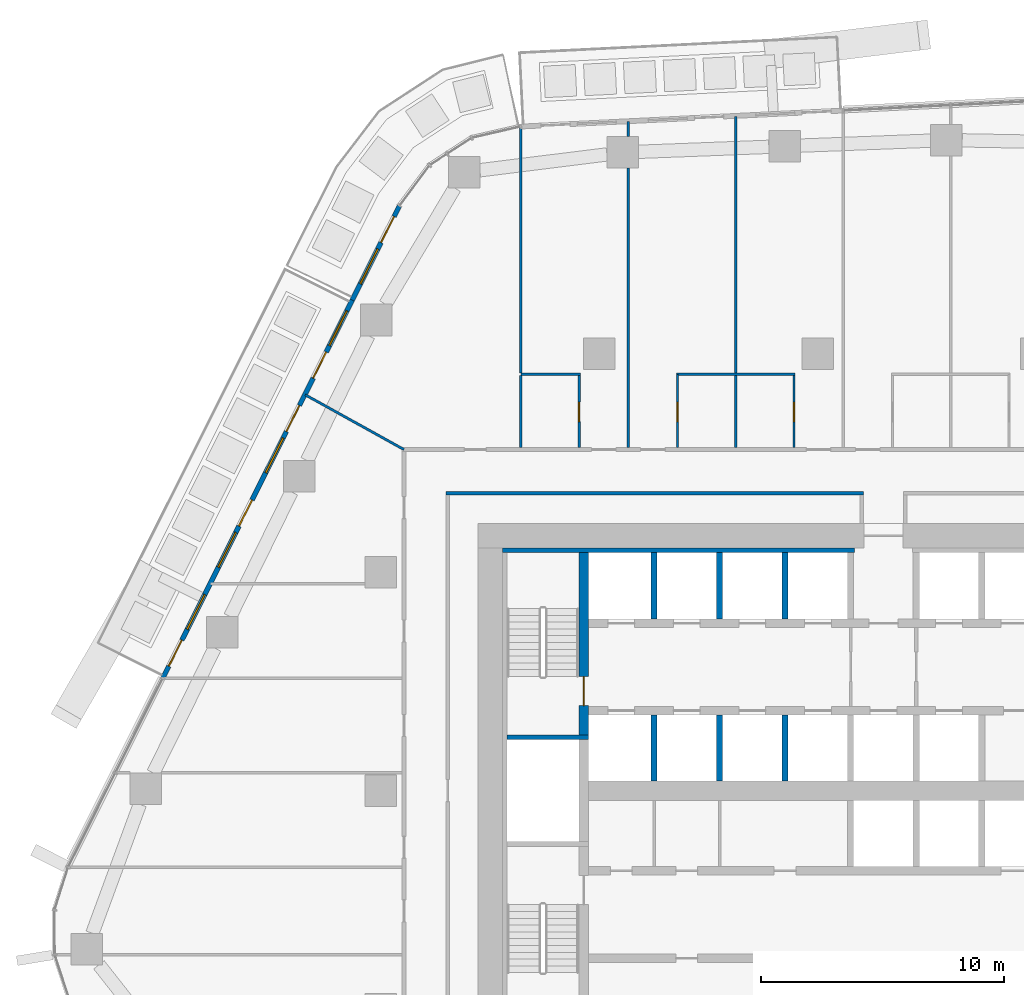
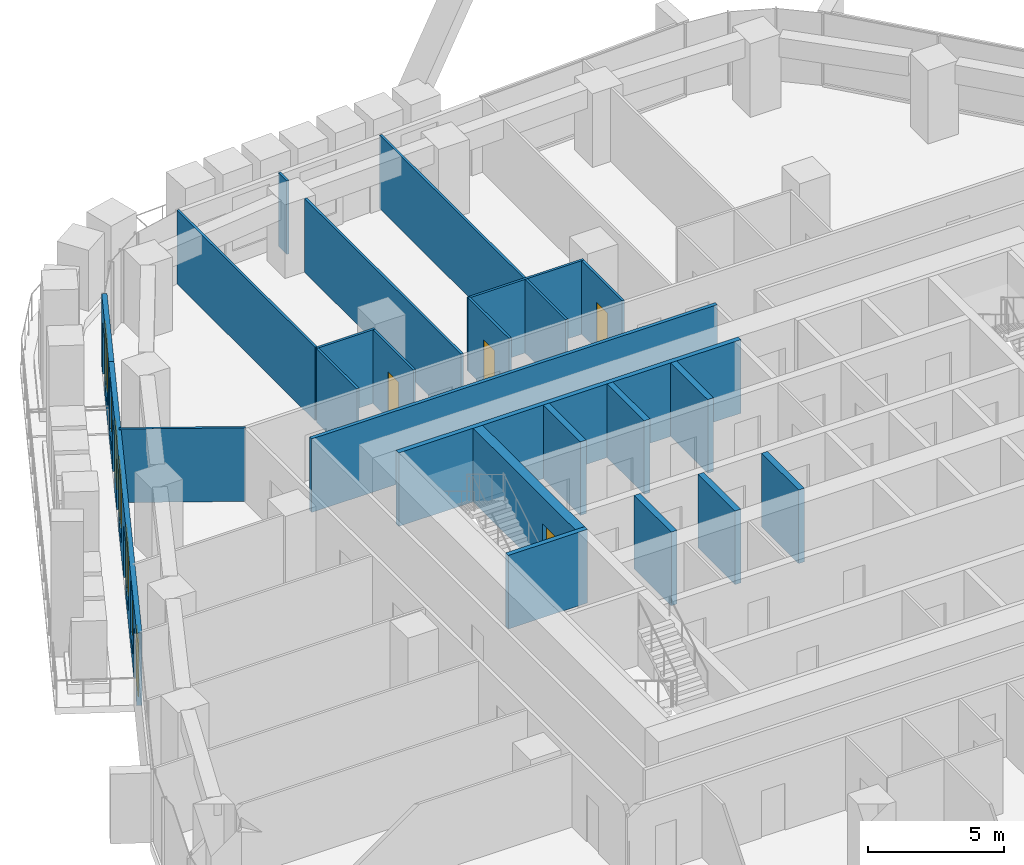
# One storey, part 15 of 25: 24 walls, 9 doors, 5 windows, 14 openings.
"""IFC4 building model written with IfcOpenShell, lengths in metres."""

from ifc_helpers import new_model, si_unit, direction, frame, frame_2d, origin, place, context, subcontext, project, spatial, rectangle, extrude, material, layer, layer_set, type_object, element, fill, save


model = new_model("IFC4")

# Units and contexts
model_context = context("Model", 3, precision=1e-05, world=origin(), true_north=direction((0.0, 1.0)))
body_context = subcontext(model_context, "Body", "Model", "MODEL_VIEW")
ifc_project = project(units=[si_unit("LENGTHUNIT", "METRE"), si_unit("AREAUNIT", "SQUARE_METRE"), si_unit("VOLUMEUNIT", "CUBIC_METRE"), si_unit("PLANEANGLEUNIT", "RADIAN"), si_unit("MASSUNIT", "GRAM", prefix="KILO")], contexts=[model_context])

# Site, building, storey
site_placement = place(None, origin())
site = spatial("IfcSite", under=ifc_project, at=site_placement, CompositionType="ELEMENT")
building_placement = place(site_placement, origin())
building = spatial("IfcBuilding", under=site, at=building_placement, Name="Dongbaek Canopy Tower", CompositionType="ELEMENT")
storey_placement = place(building_placement, frame((0.0, 0.0, 102.60009765625)))
storey = spatial("IfcBuildingStorey", under=building, at=storey_placement, Name="L21", CompositionType="ELEMENT", Elevation=102.60009765625)

# Walls
ifc_material_1 = material(Name="Concrete C60/75", Category="concrete")
ifc_layer_1 = layer(ifc_material_1, 0.199951171875)
ifc_layer_set_1 = layer_set([ifc_layer_1], Name="Core wall lining 200 Concrete C60/75")
wall_type_1 = type_object("IfcWallType", Name="Core wall lining 200 Concrete C60/75", PredefinedType="SHEAR", material=ifc_layer_set_1)
wall_1_placement = place(storey_placement, frame((-13.0, 9.89990234375, 0.0), z_axis=(0.0, 0.0, 1.0), x_axis=(1.0, 0.0, 0.0)))
element("IfcWall", 1, at=wall_1_placement, inside=storey, type_object=wall_type_1, Name="Core wall lining", PredefinedType="SHEAR", context=body_context, shape_type="SweptSolid", body=[
    extrude(rectangle(XDim=14.5, YDim=0.199951171875, at=frame_2d((7.25, 0.0))), origin(), (0.0, 0.0, 1.0), 3.2998046875),
])
ifc_material_2 = material(Name="Gypsum board partition, steel stud, 2 x 15 mm fire board", Category="steel")
ifc_layer_2 = layer(ifc_material_2, 0.14990234375)
ifc_layer_set_2 = layer_set([ifc_layer_2], Name="Fire-rated partition 150 gypsum board")
wall_type_2 = type_object("IfcWallType", Name="Fire-rated partition 150 gypsum board", PredefinedType="PARTITIONING", material=ifc_layer_set_2)
wall_2_placement = place(storey_placement, frame((-15.324951171875, 12.25, 0.0), z_axis=(0.0, 0.0, 1.0), x_axis=(1.0, 0.0, 0.0)))
element("IfcWall", 2, at=wall_2_placement, inside=storey, type_object=wall_type_2, Name="Corridor partition", PredefinedType="PARTITIONING", context=body_context, shape_type="SweptSolid", body=[
    extrude(rectangle(XDim=17.199951171875, YDim=0.14990234375, at=frame_2d((8.60009765625, 0.0))), origin(), (0.0, 0.0, 1.0), 3.2998046875),
])
ifc_material_3 = material(Name="Concrete C40/50", Category="concrete")
ifc_layer_3 = layer(ifc_material_3, 0.25)
ifc_layer_set_3 = layer_set([ifc_layer_3], Name="Lift shaft wall 250 Concrete C40/50")
wall_type_3 = type_object("IfcWallType", Name="Lift shaft wall 250 Concrete C40/50", PredefinedType="SOLIDWALL", material=ifc_layer_set_3)
for number, where, z_axis, x_axis, name in (
    (3, (-1.35009765625, 0.39990234375, 0.0), (0.0, 0.0, 1.0), (0.0, 1.0, 0.0), "Lift shaft wall"),
    (4, (-1.35009765625, 7.074951171875, 0.0), (0.0, 0.0, 1.0), (0.0, 1.0, 0.0), "Lift shaft wall"),
    (5, (-4.050048828125, 0.39990234375, 0.0), (0.0, 0.0, 1.0), (0.0, 1.0, 0.0), "Lift shaft wall"),
    (6, (-4.050048828125, 7.074951171875, 0.0), (0.0, 0.0, 1.0), (0.0, 1.0, 0.0), "Lift shaft wall"),
    (7, (-6.75, 0.39990234375, 0.0), (0.0, 0.0, 1.0), (0.0, 1.0, 0.0), "Lift shaft wall"),
    (8, (-6.75, 7.074951171875, 0.0), (0.0, 0.0, 1.0), (0.0, 1.0, 0.0), "Lift shaft wall"),
):
    element("IfcWall", number, at=place(storey_placement, frame(where, z_axis=z_axis, x_axis=x_axis)), inside=storey, type_object=wall_type_3, Name=name, PredefinedType="SOLIDWALL", context=body_context, shape_type="SweptSolid", body=[
        extrude(rectangle(XDim=2.72509765625, YDim=0.25, at=frame_2d((1.362548828125, 0.0))), origin(), (0.0, 0.0, 1.0), 3.2998046875),
    ])
ifc_material_4 = material(Name="Gypsum board partition, steel stud, 2 x 12.5 mm board", Category="steel")
ifc_layer_4 = layer(ifc_material_4, 0.10009765625)
ifc_layer_set_4 = layer_set([ifc_layer_4], Name="Partition 100 gypsum board")
wall_type_4 = type_object("IfcWallType", Name="Partition 100 gypsum board", PredefinedType="PARTITIONING", material=ifc_layer_set_4)
wall_3_placement = place(storey_placement, frame((-12.238037109375, 17.14990234375, 0.0), z_axis=(0.0, 0.0, 1.0), x_axis=(1.0, 0.0, 0.0)))
element("IfcWall", 9, at=wall_3_placement, inside=storey, type_object=wall_type_4, Name="Partition", PredefinedType="PARTITIONING", context=body_context, shape_type="SweptSolid", body=[
    extrude(rectangle(XDim=2.449951171875, YDim=0.10009765625, at=frame_2d((1.22509765625, 0.0))), origin(), (0.0, 0.0, 1.0), 3.2998046875),
])
wall_4_placement = place(storey_placement, frame((-5.83447265625, 17.14990234375, 0.0), z_axis=(0.0, 0.0, 1.0), x_axis=(1.0, 0.0, 0.0)))
element("IfcWall", 10, at=wall_4_placement, inside=storey, type_object=wall_type_4, Name="Partition", PredefinedType="PARTITIONING", context=body_context, shape_type="SweptSolid", body=[
    extrude(rectangle(XDim=4.89990234375, YDim=0.10009765625, at=frame_2d((2.449951171875, 0.0))), origin(), (0.0, 0.0, 1.0), 3.2998046875),
])

# Wall, opening, door
wall_5_placement = place(storey_placement, frame((-0.985107421875, 14.125, 0.0), z_axis=(0.0, 0.0, 1.0), x_axis=(0.0, 1.0, 0.0)))
wall_5 = element("IfcWall", 11, at=wall_5_placement, inside=storey, type_object=wall_type_4, Name="Partition", PredefinedType="PARTITIONING", context=body_context, shape_type="SweptSolid", body=[
    extrude(rectangle(XDim=2.97509765625, YDim=0.10009765625, at=frame_2d((1.487548828125, 0.0))), origin(), (0.0, 0.0, 1.0), 3.2998046875),
])
opening_1_placement = place(wall_5_placement, frame((1.074951171875, 0.0, 0.0)))
opening_1 = element("IfcOpeningElement", 12, at=opening_1_placement, cuts=wall_5, Name="Opening L21-D029", PredefinedType="OPENING", context=body_context, shape_type="SweptSolid", body=[
    extrude(rectangle(XDim=0.800048828125, YDim=2.10009765625, at=frame_2d((0.39990234375, 1.050048828125))), frame((0.0, 0.06005859375, 0.0), z_axis=(0.0, -1.0, 0.0), x_axis=(1.0, 0.0, 0.0)), (0.0, 0.0, 1.0), 0.1201171875),
])
ifc_material_5 = material(Name="Timber veneered door leaf", Category="wood")
door_type_1 = type_object("IfcDoorType", Name="En-suite door 800 x 2100", OperationType="SINGLE_SWING_LEFT", PredefinedType="DOOR", material=ifc_material_5)
door_1_placement = place(opening_1_placement, origin())
door_1 = element("IfcDoor", 13, at=door_1_placement, inside=storey, type_object=door_type_1, Name="Door L21-D029", OperationType="SINGLE_SWING_RIGHT", OverallHeight=2.10009765625, OverallWidth=0.800048828125, PredefinedType="DOOR", context=body_context, shape_type="SweptSolid", body=[
    extrude(rectangle(XDim=0.800048828125, YDim=2.10009765625, at=frame_2d((0.39990234375, 1.050048828125))), frame((0.0, 0.02490234375, 0.0), z_axis=(0.0, -1.0, 0.0), x_axis=(1.0, 0.0, 0.0)), (0.0, 0.0, 1.0), 0.050048828125),
])
fill(opening_1, door_1)

# Walls
wall_6_placement = place(storey_placement, frame((-3.385009765625, 14.125, 0.0), z_axis=(0.0, 0.0, 1.0), x_axis=(0.0, 1.0, 0.0)))
element("IfcWall", 14, at=wall_6_placement, inside=storey, type_object=wall_type_4, Name="Partition", PredefinedType="PARTITIONING", context=body_context, shape_type="SweptSolid", body=[
    extrude(rectangle(XDim=2.97509765625, YDim=0.10009765625, at=frame_2d((1.487548828125, 0.0))), origin(), (0.0, 0.0, 1.0), 3.2998046875),
])
wall_7_placement = place(storey_placement, frame((-3.385009765625, 17.199951171875, 0.0), z_axis=(0.0, 0.0, 1.0), x_axis=(0.0, 1.0, 0.0)))
element("IfcWall", 15, at=wall_7_placement, inside=storey, type_object=wall_type_4, Name="Partition", PredefinedType="PARTITIONING", context=body_context, shape_type="SweptSolid", body=[
    extrude(rectangle(XDim=10.572998046875, YDim=0.10009765625, at=frame_2d((5.28662109375, 0.0))), origin(), (0.0, 0.0, 1.0), 3.2998046875),
])

# Wall, opening, door
wall_8_placement = place(storey_placement, frame((-5.784912109375, 17.14990234375, 0.0), z_axis=(0.0, 0.0, 1.0), x_axis=(0.0, -1.0, 0.0)))
wall_8 = element("IfcWall", 16, at=wall_8_placement, inside=storey, type_object=wall_type_4, Name="Partition", PredefinedType="PARTITIONING", context=body_context, shape_type="SweptSolid", body=[
    extrude(rectangle(XDim=3.02490234375, YDim=0.10009765625, at=frame_2d((1.512451171875, 0.0))), origin(), (0.0, 0.0, 1.0), 3.2998046875),
])
opening_2_placement = place(wall_8_placement, frame((1.14990234375, 0.0, 0.0)))
opening_2 = element("IfcOpeningElement", 17, at=opening_2_placement, cuts=wall_8, Name="Opening L21-D031", PredefinedType="OPENING", context=body_context, shape_type="SweptSolid", body=[
    extrude(rectangle(XDim=0.800048828125, YDim=2.10009765625, at=frame_2d((0.39990234375, 1.050048828125))), frame((0.0, 0.06005859375, 0.0), z_axis=(0.0, -1.0, 0.0), x_axis=(1.0, 0.0, 0.0)), (0.0, 0.0, 1.0), 0.1201171875),
])
door_2_placement = place(opening_2_placement, origin())
door_2 = element("IfcDoor", 18, at=door_2_placement, inside=storey, type_object=door_type_1, Name="Door L21-D031", OperationType="SINGLE_SWING_LEFT", OverallHeight=2.10009765625, OverallWidth=0.800048828125, PredefinedType="DOOR", context=body_context, shape_type="SweptSolid", body=[
    extrude(rectangle(XDim=0.800048828125, YDim=2.10009765625, at=frame_2d((0.39990234375, 1.050048828125))), frame((0.0, 0.02490234375, 0.0), z_axis=(0.0, -1.0, 0.0), x_axis=(1.0, 0.0, 0.0)), (0.0, 0.0, 1.0), 0.050048828125),
])
fill(opening_2, door_2)

# Walls
wall_9_placement = place(storey_placement, frame((-7.81103515625, 14.125, 0.0), z_axis=(0.0, 0.0, 1.0), x_axis=(0.0, 1.0, 0.0)))
element("IfcWall", 19, at=wall_9_placement, inside=storey, type_object=wall_type_4, Name="Partition", PredefinedType="PARTITIONING", context=body_context, shape_type="SweptSolid", body=[
    extrude(rectangle(XDim=11.512939453125, YDim=0.10009765625, at=frame_2d((5.75634765625, 0.0))), origin(), (0.0, 0.0, 1.0), 3.2998046875),
])
wall_10_placement = place(storey_placement, frame((-7.81103515625, 26.93798828125, 0.0), z_axis=(0.0, 0.0, 1.0), x_axis=(0.0, 1.0, 0.0)))
element("IfcWall", 20, at=wall_10_placement, inside=storey, type_object=wall_type_4, Name="Partition", PredefinedType="PARTITIONING", context=body_context, shape_type="SweptSolid", body=[
    extrude(rectangle(XDim=0.615478515625, YDim=0.10009765625, at=frame_2d((0.3076171875, 0.0))), origin(), (0.0, 0.0, 1.0), 3.2998046875),
])

# Wall, opening, door
wall_11_placement = place(storey_placement, frame((-9.837890625, 14.125, 0.0), z_axis=(0.0, 0.0, 1.0), x_axis=(0.0, 1.0, 0.0)))
wall_11 = element("IfcWall", 21, at=wall_11_placement, inside=storey, type_object=wall_type_4, Name="Partition", PredefinedType="PARTITIONING", context=body_context, shape_type="SweptSolid", body=[
    extrude(rectangle(XDim=3.02490234375, YDim=0.10009765625, at=frame_2d((1.512451171875, 0.0))), origin(), (0.0, 0.0, 1.0), 3.2998046875),
])
opening_3_placement = place(wall_11_placement, frame((1.074951171875, 0.0, 0.0)))
opening_3 = element("IfcOpeningElement", 22, at=opening_3_placement, cuts=wall_11, Name="Opening L21-D033", PredefinedType="OPENING", context=body_context, shape_type="SweptSolid", body=[
    extrude(rectangle(XDim=0.800048828125, YDim=2.10009765625, at=frame_2d((0.39990234375, 1.050048828125))), frame((0.0, 0.06005859375, 0.0), z_axis=(0.0, -1.0, 0.0), x_axis=(1.0, 0.0, 0.0)), (0.0, 0.0, 1.0), 0.1201171875),
])
door_3_placement = place(opening_3_placement, origin())
door_3 = element("IfcDoor", 23, at=door_3_placement, inside=storey, type_object=door_type_1, Name="Door L21-D033", OperationType="SINGLE_SWING_RIGHT", OverallHeight=2.10009765625, OverallWidth=0.800048828125, PredefinedType="DOOR", context=body_context, shape_type="SweptSolid", body=[
    extrude(rectangle(XDim=0.800048828125, YDim=2.10009765625, at=frame_2d((0.39990234375, 1.050048828125))), frame((0.0, 0.02490234375, 0.0), z_axis=(0.0, -1.0, 0.0), x_axis=(1.0, 0.0, 0.0)), (0.0, 0.0, 1.0), 0.050048828125),
])
fill(opening_3, door_3)

# Walls
wall_12_placement = place(storey_placement, frame((-12.238037109375, 14.125, 0.0), z_axis=(0.0, 0.0, 1.0), x_axis=(0.0, 1.0, 0.0)))
element("IfcWall", 24, at=wall_12_placement, inside=storey, type_object=wall_type_4, Name="Partition", PredefinedType="PARTITIONING", context=body_context, shape_type="SweptSolid", body=[
    extrude(rectangle(XDim=2.97509765625, YDim=0.10009765625, at=frame_2d((1.487548828125, 0.0))), origin(), (0.0, 0.0, 1.0), 3.2998046875),
])
wall_13_placement = place(storey_placement, frame((-12.238037109375, 17.199951171875, 0.0), z_axis=(0.0, 0.0, 1.0), x_axis=(0.0, 1.0, 0.0)))
element("IfcWall", 25, at=wall_13_placement, inside=storey, type_object=wall_type_4, Name="Partition", PredefinedType="PARTITIONING", context=body_context, shape_type="SweptSolid", body=[
    extrude(rectangle(XDim=10.13330078125, YDim=0.10009765625, at=frame_2d((5.066650390625, 0.0))), origin(), (0.0, 0.0, 1.0), 3.2998046875),
])
wall_14_placement = place(storey_placement, frame((-21.115478515625, 16.302978515625, 0.0), z_axis=(0.0, 0.0, 1.0), x_axis=(0.874615252971, -0.484817655692, 0.0)))
element("IfcWall", 26, at=wall_14_placement, inside=storey, type_object=wall_type_4, Name="Partition", PredefinedType="PARTITIONING", context=body_context, shape_type="SweptSolid", body=[
    extrude(rectangle(XDim=4.64794921875, YDim=0.10009765625, at=frame_2d((2.323974609375, 0.0))), origin(), (0.0, 0.0, 1.0), 3.2998046875),
])
ifc_material_6 = material(Name="Concrete C60/75", Category="concrete")
ifc_layer_5 = layer(ifc_material_6, 0.199951171875)
ifc_layer_set_5 = layer_set([ifc_layer_5], Name="Riser wall 200 Concrete C60/75")
wall_type_5 = type_object("IfcWallType", Name="Riser wall 200 Concrete C60/75", PredefinedType="SHEAR", material=ifc_layer_set_5)
wall_15_placement = place(storey_placement, frame((-9.449951171875, 2.199951171875, 0.0), z_axis=(0.0, 0.0, 1.0), x_axis=(-1.0, 0.0, 0.0)))
element("IfcWall", 27, at=wall_15_placement, inside=storey, type_object=wall_type_5, Name="Riser wall", PredefinedType="SHEAR", context=body_context, shape_type="SweptSolid", body=[
    extrude(rectangle(XDim=3.35009765625, YDim=0.199951171875, at=frame_2d((1.675048828125, 0.0))), origin(), (0.0, 0.0, 1.0), 3.2998046875),
])

# Wall, opening, door
ifc_material_7 = material(Name="Concrete C60/75", Category="concrete")
ifc_layer_6 = layer(ifc_material_7, 0.39990234375)
ifc_layer_set_6 = layer_set([ifc_layer_6], Name="Stair wall 400 Concrete C60/75")
wall_type_6 = type_object("IfcWallType", Name="Stair wall 400 Concrete C60/75", PredefinedType="SHEAR", material=ifc_layer_set_6)
wall_16_placement = place(storey_placement, frame((-9.64990234375, 2.300048828125, 0.0), z_axis=(0.0, 0.0, 1.0), x_axis=(0.0, 1.0, 0.0)))
wall_16 = element("IfcWall", 28, at=wall_16_placement, inside=storey, type_object=wall_type_6, Name="Stair wall", PredefinedType="SHEAR", context=body_context, shape_type="SweptSolid", body=[
    extrude(rectangle(XDim=7.5, YDim=0.39990234375, at=frame_2d((3.75, 0.0))), origin(), (0.0, 0.0, 1.0), 3.2998046875),
])
opening_4_placement = place(wall_16_placement, frame((1.199951171875, 0.0, 0.0)))
opening_4 = element("IfcOpeningElement", 29, at=opening_4_placement, cuts=wall_16, Name="Opening L21-D066", PredefinedType="OPENING", context=body_context, shape_type="SweptSolid", body=[
    extrude(rectangle(XDim=1.199951171875, YDim=2.10009765625, at=frame_2d((0.60009765625, 1.050048828125))), frame((0.0, 0.2099609375, 0.0), z_axis=(0.0, -1.0, 0.0), x_axis=(1.0, 0.0, 0.0)), (0.0, 0.0, 1.0), 0.419921875),
])
ifc_material_8 = material(Name="Steel", Category="steel")
door_type_2 = type_object("IfcDoorType", Name="Stair door 1200 x 2100", OperationType="SINGLE_SWING_LEFT", PredefinedType="DOOR", material=ifc_material_8)
door_4_placement = place(opening_4_placement, origin())
door_4 = element("IfcDoor", 30, at=door_4_placement, inside=storey, type_object=door_type_2, Name="Stair C door", OperationType="SINGLE_SWING_RIGHT", OverallHeight=2.10009765625, OverallWidth=1.199951171875, PredefinedType="DOOR", context=body_context, shape_type="SweptSolid", body=[
    extrude(rectangle(XDim=1.199951171875, YDim=2.10009765625, at=frame_2d((0.60009765625, 1.050048828125))), frame((0.0, 0.02490234375, 0.0), z_axis=(0.0, -1.0, 0.0), x_axis=(1.0, 0.0, 0.0)), (0.0, 0.0, 1.0), 0.050048828125),
])
fill(opening_4, door_4)

# Wall, openings, doors, windows
ifc_material_9 = material(Name="Aluminium window wall", Category="aluminium")
ifc_layer_7 = layer(ifc_material_9, 0.199951171875)
ifc_layer_set_7 = layer_set([ifc_layer_7], Name="Window wall 200")
wall_type_7 = type_object("IfcWallType", Name="Window wall 200", PredefinedType="SOLIDWALL", material=ifc_layer_set_7)
wall_17_placement = place(storey_placement, frame((-19.18115234375, 20.20849609375, 0.0), z_axis=(0.0, 0.0, 1.0), x_axis=(-0.447953166305, -0.894057023236, 0.0)))
wall_17 = element("IfcWall", 31, at=wall_17_placement, inside=storey, type_object=wall_type_7, Name="Window wall L21 3", PredefinedType="SOLIDWALL", context=body_context, shape_type="SweptSolid", body=[
    extrude(rectangle(XDim=17.42626953125, YDim=0.199951171875, at=frame_2d((8.713134765625, 0.0))), origin(), (0.0, 0.0, 1.0), 3.25),
])
opening_5_placement = place(wall_17_placement, frame((0.5, 0.0, 0.60009765625)))
opening_5 = element("IfcOpeningElement", 32, at=opening_5_placement, cuts=wall_17, Name="Opening W1", PredefinedType="OPENING", context=body_context, shape_type="SweptSolid", body=[
    extrude(rectangle(XDim=1.60009765625, YDim=2.39990234375, at=frame_2d((0.800048828125, 1.199951171875))), frame((0.0, 0.10986328125, 0.0), z_axis=(0.0, -1.0, 0.0), x_axis=(1.0, 0.0, 0.0)), (0.0, 0.0, 1.0), 0.219970703125),
])
opening_6_placement = place(wall_17_placement, frame((2.39990234375, 0.0, 0.0)))
opening_6 = element("IfcOpeningElement", 33, at=opening_6_placement, cuts=wall_17, Name="Opening L21-B07", PredefinedType="OPENING", context=body_context, shape_type="SweptSolid", body=[
    extrude(rectangle(XDim=1.199951171875, YDim=2.39990234375, at=frame_2d((0.60009765625, 1.199951171875))), frame((0.0, 0.10986328125, 0.0), z_axis=(0.0, -1.0, 0.0), x_axis=(1.0, 0.0, 0.0)), (0.0, 0.0, 1.0), 0.219970703125),
])
opening_7_placement = place(wall_17_placement, frame((6.356689453125, 0.0, 0.60009765625)))
opening_7 = element("IfcOpeningElement", 34, at=opening_7_placement, cuts=wall_17, Name="Opening W1", PredefinedType="OPENING", context=body_context, shape_type="SweptSolid", body=[
    extrude(rectangle(XDim=1.60009765625, YDim=2.39990234375, at=frame_2d((0.800048828125, 1.199951171875))), frame((0.0, 0.10986328125, 0.0), z_axis=(0.0, -1.0, 0.0), x_axis=(1.0, 0.0, 0.0)), (0.0, 0.0, 1.0), 0.219970703125),
])
opening_8_placement = place(wall_17_placement, frame((4.856689453125, 0.0, 0.0)))
opening_8 = element("IfcOpeningElement", 35, at=opening_8_placement, cuts=wall_17, Name="Opening L21-B08", PredefinedType="OPENING", context=body_context, shape_type="SweptSolid", body=[
    extrude(rectangle(XDim=1.199951171875, YDim=2.39990234375, at=frame_2d((0.60009765625, 1.199951171875))), frame((0.0, 0.10986328125, 0.0), z_axis=(0.0, -1.0, 0.0), x_axis=(1.0, 0.0, 0.0)), (0.0, 0.0, 1.0), 0.219970703125),
])
opening_9_placement = place(wall_17_placement, frame((10.713134765625, 0.0, 0.60009765625)))
opening_9 = element("IfcOpeningElement", 36, at=opening_9_placement, cuts=wall_17, Name="Opening W1", PredefinedType="OPENING", context=body_context, shape_type="SweptSolid", body=[
    extrude(rectangle(XDim=1.60009765625, YDim=2.39990234375, at=frame_2d((0.800048828125, 1.199951171875))), frame((0.0, 0.10986328125, 0.0), z_axis=(0.0, -1.0, 0.0), x_axis=(1.0, 0.0, 0.0)), (0.0, 0.0, 1.0), 0.219970703125),
])
opening_10_placement = place(wall_17_placement, frame((9.213134765625, 0.0, 0.0)))
opening_10 = element("IfcOpeningElement", 37, at=opening_10_placement, cuts=wall_17, Name="Opening L21-B09", PredefinedType="OPENING", context=body_context, shape_type="SweptSolid", body=[
    extrude(rectangle(XDim=1.199951171875, YDim=2.39990234375, at=frame_2d((0.60009765625, 1.199951171875))), frame((0.0, 0.10986328125, 0.0), z_axis=(0.0, -1.0, 0.0), x_axis=(1.0, 0.0, 0.0)), (0.0, 0.0, 1.0), 0.219970703125),
])
opening_11_placement = place(wall_17_placement, frame((13.56982421875, 0.0, 0.60009765625)))
opening_11 = element("IfcOpeningElement", 38, at=opening_11_placement, cuts=wall_17, Name="Opening W1", PredefinedType="OPENING", context=body_context, shape_type="SweptSolid", body=[
    extrude(rectangle(XDim=1.60009765625, YDim=2.39990234375, at=frame_2d((0.800048828125, 1.199951171875))), frame((0.0, 0.10986328125, 0.0), z_axis=(0.0, -1.0, 0.0), x_axis=(1.0, 0.0, 0.0)), (0.0, 0.0, 1.0), 0.219970703125),
])
opening_12_placement = place(wall_17_placement, frame((15.669921875, 0.0, 0.0)))
opening_12 = element("IfcOpeningElement", 39, at=opening_12_placement, cuts=wall_17, Name="Opening L21-B10", PredefinedType="OPENING", context=body_context, shape_type="SweptSolid", body=[
    extrude(rectangle(XDim=1.199951171875, YDim=2.39990234375, at=frame_2d((0.60009765625, 1.199951171875))), frame((0.0, 0.10986328125, 0.0), z_axis=(0.0, -1.0, 0.0), x_axis=(1.0, 0.0, 0.0)), (0.0, 0.0, 1.0), 0.219970703125),
])
ifc_material_10 = material(Name="Clear glazing in aluminium frame", Category="aluminium")
door_type_3 = type_object("IfcDoorType", Name="Balcony door BD1 1200 x 2400", OperationType="SLIDING_TO_LEFT", PredefinedType="DOOR", material=ifc_material_10)
door_5_placement = place(opening_6_placement, origin())
door_5 = element("IfcDoor", 40, at=door_5_placement, inside=storey, type_object=door_type_3, Name="Balcony door L21-B07", OperationType="SLIDING_TO_LEFT", OverallHeight=2.39990234375, OverallWidth=1.199951171875, PredefinedType="DOOR", context=body_context, shape_type="SweptSolid", body=[
    extrude(rectangle(XDim=1.199951171875, YDim=2.39990234375, at=frame_2d((0.60009765625, 1.199951171875))), frame((0.0, 0.02490234375, 0.0), z_axis=(0.0, -1.0, 0.0), x_axis=(1.0, 0.0, 0.0)), (0.0, 0.0, 1.0), 0.050048828125),
])
fill(opening_6, door_5)
door_6_placement = place(opening_8_placement, origin())
door_6 = element("IfcDoor", 41, at=door_6_placement, inside=storey, type_object=door_type_3, Name="Balcony door L21-B08", OperationType="SLIDING_TO_LEFT", OverallHeight=2.39990234375, OverallWidth=1.199951171875, PredefinedType="DOOR", context=body_context, shape_type="SweptSolid", body=[
    extrude(rectangle(XDim=1.199951171875, YDim=2.39990234375, at=frame_2d((0.60009765625, 1.199951171875))), frame((0.0, 0.02490234375, 0.0), z_axis=(0.0, -1.0, 0.0), x_axis=(1.0, 0.0, 0.0)), (0.0, 0.0, 1.0), 0.050048828125),
])
fill(opening_8, door_6)
door_7_placement = place(opening_10_placement, origin())
door_7 = element("IfcDoor", 42, at=door_7_placement, inside=storey, type_object=door_type_3, Name="Balcony door L21-B09", OperationType="SLIDING_TO_LEFT", OverallHeight=2.39990234375, OverallWidth=1.199951171875, PredefinedType="DOOR", context=body_context, shape_type="SweptSolid", body=[
    extrude(rectangle(XDim=1.199951171875, YDim=2.39990234375, at=frame_2d((0.60009765625, 1.199951171875))), frame((0.0, 0.02490234375, 0.0), z_axis=(0.0, -1.0, 0.0), x_axis=(1.0, 0.0, 0.0)), (0.0, 0.0, 1.0), 0.050048828125),
])
fill(opening_10, door_7)
door_8_placement = place(opening_12_placement, origin())
door_8 = element("IfcDoor", 43, at=door_8_placement, inside=storey, type_object=door_type_3, Name="Balcony door L21-B10", OperationType="SLIDING_TO_LEFT", OverallHeight=2.39990234375, OverallWidth=1.199951171875, PredefinedType="DOOR", context=body_context, shape_type="SweptSolid", body=[
    extrude(rectangle(XDim=1.199951171875, YDim=2.39990234375, at=frame_2d((0.60009765625, 1.199951171875))), frame((0.0, 0.02490234375, 0.0), z_axis=(0.0, -1.0, 0.0), x_axis=(1.0, 0.0, 0.0)), (0.0, 0.0, 1.0), 0.050048828125),
])
fill(opening_12, door_8)
ifc_material_11 = material(Name="Clear glazing in aluminium frame", Category="aluminium")
window_type = type_object("IfcWindowType", Name="Window W1 1600 x 2400", PartitioningType="SINGLE_PANEL", PredefinedType="WINDOW", material=ifc_material_11)
window_1_placement = place(opening_5_placement, origin())
window_1 = element("IfcWindow", 44, at=window_1_placement, inside=storey, type_object=window_type, Name="Window L21 3.1", OverallHeight=2.39990234375, OverallWidth=1.60009765625, PartitioningType="SINGLE_PANEL", PredefinedType="WINDOW", context=body_context, shape_type="SweptSolid", body=[
    extrude(rectangle(XDim=1.60009765625, YDim=2.39990234375, at=frame_2d((0.800048828125, 1.199951171875))), frame((0.0, 0.030029296875, 0.0), z_axis=(0.0, -1.0, 0.0), x_axis=(1.0, 0.0, 0.0)), (0.0, 0.0, 1.0), 0.06005859375),
])
fill(opening_5, window_1)
window_2_placement = place(opening_7_placement, origin())
window_2 = element("IfcWindow", 45, at=window_2_placement, inside=storey, type_object=window_type, Name="Window L21 3.2", OverallHeight=2.39990234375, OverallWidth=1.60009765625, PartitioningType="SINGLE_PANEL", PredefinedType="WINDOW", context=body_context, shape_type="SweptSolid", body=[
    extrude(rectangle(XDim=1.60009765625, YDim=2.39990234375, at=frame_2d((0.800048828125, 1.199951171875))), frame((0.0, 0.030029296875, 0.0), z_axis=(0.0, -1.0, 0.0), x_axis=(1.0, 0.0, 0.0)), (0.0, 0.0, 1.0), 0.06005859375),
])
fill(opening_7, window_2)
window_3_placement = place(opening_9_placement, origin())
window_3 = element("IfcWindow", 46, at=window_3_placement, inside=storey, type_object=window_type, Name="Window L21 3.3", OverallHeight=2.39990234375, OverallWidth=1.60009765625, PartitioningType="SINGLE_PANEL", PredefinedType="WINDOW", context=body_context, shape_type="SweptSolid", body=[
    extrude(rectangle(XDim=1.60009765625, YDim=2.39990234375, at=frame_2d((0.800048828125, 1.199951171875))), frame((0.0, 0.030029296875, 0.0), z_axis=(0.0, -1.0, 0.0), x_axis=(1.0, 0.0, 0.0)), (0.0, 0.0, 1.0), 0.06005859375),
])
fill(opening_9, window_3)
window_4_placement = place(opening_11_placement, origin())
window_4 = element("IfcWindow", 47, at=window_4_placement, inside=storey, type_object=window_type, Name="Window L21 3.4", OverallHeight=2.39990234375, OverallWidth=1.60009765625, PartitioningType="SINGLE_PANEL", PredefinedType="WINDOW", context=body_context, shape_type="SweptSolid", body=[
    extrude(rectangle(XDim=1.60009765625, YDim=2.39990234375, at=frame_2d((0.800048828125, 1.199951171875))), frame((0.0, 0.030029296875, 0.0), z_axis=(0.0, -1.0, 0.0), x_axis=(1.0, 0.0, 0.0)), (0.0, 0.0, 1.0), 0.06005859375),
])
fill(opening_11, window_4)

# Wall, openings, door, window
wall_18_placement = place(storey_placement, frame((-17.2333984375, 24.095703125, 0.0), z_axis=(0.0, 0.0, 1.0), x_axis=(-0.447977093624, -0.89404503443, 0.0)))
wall_18 = element("IfcWall", 48, at=wall_18_placement, inside=storey, type_object=wall_type_7, Name="Window wall L21 7", PredefinedType="SOLIDWALL", context=body_context, shape_type="SweptSolid", body=[
    extrude(rectangle(XDim=4.347900390625, YDim=0.199951171875, at=frame_2d((2.173828125, 0.0))), origin(), (0.0, 0.0, 1.0), 3.25),
])
opening_13_placement = place(wall_18_placement, frame((2.0, 0.0, 0.60009765625)))
opening_13 = element("IfcOpeningElement", 49, at=opening_13_placement, cuts=wall_18, Name="Opening W1", PredefinedType="OPENING", context=body_context, shape_type="SweptSolid", body=[
    extrude(rectangle(XDim=1.60009765625, YDim=2.39990234375, at=frame_2d((0.800048828125, 1.199951171875))), frame((0.0, 0.10986328125, 0.0), z_axis=(0.0, -1.0, 0.0), x_axis=(1.0, 0.0, 0.0)), (0.0, 0.0, 1.0), 0.219970703125),
])
opening_14_placement = place(wall_18_placement, frame((0.5, 0.0, 0.0)))
opening_14 = element("IfcOpeningElement", 50, at=opening_14_placement, cuts=wall_18, Name="Opening L21-B11", PredefinedType="OPENING", context=body_context, shape_type="SweptSolid", body=[
    extrude(rectangle(XDim=1.199951171875, YDim=2.39990234375, at=frame_2d((0.60009765625, 1.199951171875))), frame((0.0, 0.10986328125, 0.0), z_axis=(0.0, -1.0, 0.0), x_axis=(1.0, 0.0, 0.0)), (0.0, 0.0, 1.0), 0.219970703125),
])
door_9_placement = place(opening_14_placement, origin())
door_9 = element("IfcDoor", 51, at=door_9_placement, inside=storey, type_object=door_type_3, Name="Balcony door L21-B11", OperationType="SLIDING_TO_LEFT", OverallHeight=2.39990234375, OverallWidth=1.199951171875, PredefinedType="DOOR", context=body_context, shape_type="SweptSolid", body=[
    extrude(rectangle(XDim=1.199951171875, YDim=2.39990234375, at=frame_2d((0.60009765625, 1.199951171875))), frame((0.0, 0.02490234375, 0.0), z_axis=(0.0, -1.0, 0.0), x_axis=(1.0, 0.0, 0.0)), (0.0, 0.0, 1.0), 0.050048828125),
])
fill(opening_14, door_9)
window_5_placement = place(opening_13_placement, origin())
window_5 = element("IfcWindow", 52, at=window_5_placement, inside=storey, type_object=window_type, Name="Window L21 7.1", OverallHeight=2.39990234375, OverallWidth=1.60009765625, PartitioningType="SINGLE_PANEL", PredefinedType="WINDOW", context=body_context, shape_type="SweptSolid", body=[
    extrude(rectangle(XDim=1.60009765625, YDim=2.39990234375, at=frame_2d((0.800048828125, 1.199951171875))), frame((0.0, 0.030029296875, 0.0), z_axis=(0.0, -1.0, 0.0), x_axis=(1.0, 0.0, 0.0)), (0.0, 0.0, 1.0), 0.06005859375),
])
fill(opening_13, window_5)

save(model, "model.ifc")
